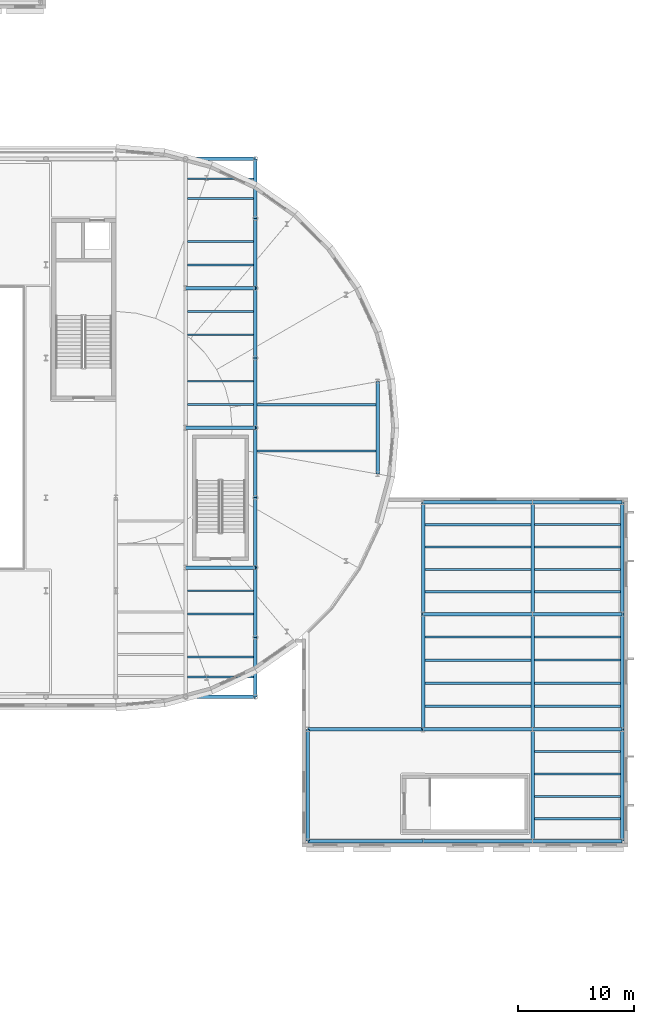
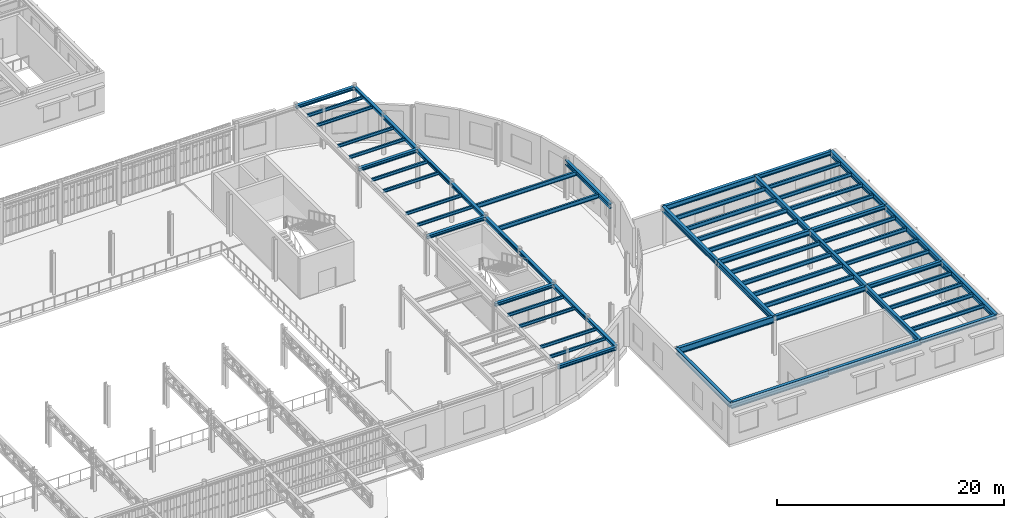
# One storey, part 33 of 91: 67 beams.
"""IFC4 building model written with IfcOpenShell, lengths in metres."""

import ifcopenshell
import ifcopenshell.guid

model = None  # the IFC model being written
_history = None  # IfcOwnerHistory: only IFC2X3 demands one
_inside = {}  # id of a spatial element -> (the spatial element, [elements in it])
_under = {}  # id of a project, library or spatial element -> (it, [spatial elements below it])
_declared = {}  # id of a project -> (the project, [libraries it declares])
_typed = {}  # id of a type object -> (the type object, [elements of that type])
_made_of = {}  # id of a material, layer set ... -> (it, [elements and type objects made of it])


def new_model(schema):
    """Start an empty IFC model of exactly this schema.

    Asked for "IFC4X3", IfcOpenShell would pick the latest addendum, in which some entities
    have other attributes; the version numbers below select the first issue.
    IFC2X3 requires an IfcOwnerHistory on every rooted entity: one is made here for all.
    """
    global model, _history
    if schema == "IFC4X3":
        model = ifcopenshell.file(schema_version=(4, 3, 0, 0))
    else:
        model = ifcopenshell.file(schema=schema)
    _inside.clear()
    _under.clear()
    _declared.clear()
    _typed.clear()
    _made_of.clear()
    _history = None
    if model.schema == "IFC2X3":
        org = make("IfcOrganization", Name="unknown")
        user = make(
            "IfcPersonAndOrganization",
            ThePerson=make("IfcPerson", FamilyName="unknown"),
            TheOrganization=org,
        )
        app = make(
            "IfcApplication",
            ApplicationDeveloper=org,
            Version="unknown",
            ApplicationFullName="unknown",
            ApplicationIdentifier="unknown",
        )
        _history = make(
            "IfcOwnerHistory",
            OwningUser=user,
            OwningApplication=app,
            ChangeAction="ADDED",
            CreationDate=0,
        )
    return model


def make(cls, **values):
    """One entity of the class cls with the attributes given. An attribute that is None is left unset."""
    return model.create_entity(
        cls, **{name: value for name, value in values.items() if value is not None}
    )


def rooted(cls, **values):
    """An entity with a GlobalId (a new one), such as an element, a storey or a relation."""
    return make(cls, GlobalId=ifcopenshell.guid.new(), OwnerHistory=_history, **values)


def si_unit(unit_type, name, prefix=None):
    """IfcSIUnit, for example si_unit("LENGTHUNIT", "METRE", prefix="MILLI")."""
    return make("IfcSIUnit", UnitType=unit_type, Prefix=prefix, Name=name)


def assignment(units):
    """IfcUnitAssignment: the units of a project."""
    return None if units is None else make("IfcUnitAssignment", Units=units)


def point(xyz):
    """IfcCartesianPoint."""
    return None if xyz is None else make("IfcCartesianPoint", Coordinates=xyz)


def direction(xyz):
    """IfcDirection."""
    return None if xyz is None else make("IfcDirection", DirectionRatios=xyz)


def frame(location, z_axis=None, x_axis=None):
    """IfcAxis2Placement3D, a coordinate frame: its origin and axes. An axis left out is left unset."""
    return make(
        "IfcAxis2Placement3D",
        Location=point(location),
        Axis=direction(z_axis),
        RefDirection=direction(x_axis),
    )


def frame_2d(location, x_axis=None):
    """IfcAxis2Placement2D, a coordinate frame in the plane: its origin and x axis."""
    return make(
        "IfcAxis2Placement2D", Location=point(location), RefDirection=direction(x_axis)
    )


def origin():
    """The frame at (0, 0, 0) with its axes left unset."""
    return frame((0.0, 0.0, 0.0))


def origin_2d():
    """The frame at (0, 0) in the plane with its x axis left unset."""
    return frame_2d((0.0, 0.0))


def place(relative_to, where):
    """IfcLocalPlacement: puts the frame where relative to a parent placement (None: the world)."""
    return make(
        "IfcLocalPlacement", PlacementRelTo=relative_to, RelativePlacement=where
    )


def context(
    kind, dimensions, precision=None, world=None, true_north=None, identifier=None
):
    """IfcGeometricRepresentationContext, for example the 3D "Model" context."""
    return make(
        "IfcGeometricRepresentationContext",
        ContextIdentifier=identifier,
        ContextType=kind,
        CoordinateSpaceDimension=dimensions,
        Precision=precision,
        WorldCoordinateSystem=world,
        TrueNorth=true_north,
    )


def subcontext(parent, identifier, kind, view, scale=None):
    """IfcGeometricRepresentationSubContext, for example "Body" below "Model"."""
    return make(
        "IfcGeometricRepresentationSubContext",
        ContextIdentifier=identifier,
        ContextType=kind,
        ParentContext=parent,
        TargetScale=scale,
        TargetView=view,
    )


def project(units=None, contexts=None):
    """IfcProject with its units and contexts."""
    return rooted(
        "IfcProject",
        Name="project",
        RepresentationContexts=contexts,
        UnitsInContext=assignment(units),
    )


def spatial(cls, under=None, at=None, **own):
    """A site, building, storey or space (cls), placed at a placement, below another one or the project."""
    s = rooted(cls, ObjectPlacement=at, **own)
    if under is not None:
        _under.setdefault(under.id(), (under, []))[1].append(s)
    return s


def profile(cls, at=None, kind="AREA", **sizes):
    """A parametric profile (cls). Its sizes go by their IFC names, for example OverallWidth=200.0."""
    return make(cls, ProfileType=kind, Position=at, **sizes)


def i_section(**sizes):
    """IfcIShapeProfileDef."""
    return profile("IfcIShapeProfileDef", **sizes)


def extrude(swept, where, along, depth):
    """IfcExtrudedAreaSolid: the profile swept, set in the frame where, extruded along a direction by depth."""
    return make(
        "IfcExtrudedAreaSolid",
        SweptArea=swept,
        Position=where,
        ExtrudedDirection=direction(along),
        Depth=depth,
    )


def shape(context_of_items, identifier, shape_type, items):
    """IfcShapeRepresentation: the items that make up one representation, for example the "Body"."""
    return make(
        "IfcShapeRepresentation",
        ContextOfItems=context_of_items,
        RepresentationIdentifier=identifier,
        RepresentationType=shape_type,
        Items=items,
    )


def material(Name=None, Category=None):
    """IfcMaterial."""
    return make("IfcMaterial", Name=Name, Category=Category)


def material_profile(
    of_material, cross_section, Name=None, Category=None, Priority=None
):
    """IfcMaterialProfile: a cross section and its material."""
    return make(
        "IfcMaterialProfile",
        Name=Name,
        Material=of_material,
        Profile=cross_section,
        Priority=Priority,
        Category=Category,
    )


def profile_set(profiles, Name=None, composite=None):
    """IfcMaterialProfileSet."""
    return make(
        "IfcMaterialProfileSet",
        Name=Name,
        MaterialProfiles=profiles,
        CompositeProfile=composite,
    )


def made_of(thing, what):
    """Note that an element or type object is made of a material, layer set ...; save() writes the relation."""
    if what is not None:
        _made_of.setdefault(what.id(), (what, []))[1].append(thing)
    return thing


def type_object(cls, material=None, **own):
    """A type object (cls), such as IfcWallType, which elements share."""
    return made_of(rooted(cls, **own), material)


def element(
    cls,
    number,
    at=None,
    inside=None,
    cuts=None,
    type_object=None,
    material=None,
    context=None,
    identifier="Body",
    shape_type=None,
    held_by="IfcProductDefinitionShape",
    body=None,
    shapes=None,
    **own,
):
    """One element of the class cls, such as IfcWall. Its Tag is "e" and its number.

    at: its placement. inside: the storey or other place that contains it. cuts: it is an
    opening in that element (IfcRelVoidsElement). A single representation is given by context,
    identifier, shape_type and body (its items); several are given by shapes. held_by: the class
    of the entity that holds the representations. save() writes the other relations.
    """
    e = rooted(cls, Tag="e%d" % number, ObjectPlacement=at, **own)
    if body is not None:
        shapes = [shape(context, identifier, shape_type, body)]
    if shapes is not None:
        e.Representation = make(held_by, Representations=shapes)
    if inside is not None:
        _inside.setdefault(inside.id(), (inside, []))[1].append(e)
    if cuts is not None:
        rooted(
            "IfcRelVoidsElement", RelatingBuildingElement=cuts, RelatedOpeningElement=e
        )
    if type_object is not None:
        _typed.setdefault(type_object.id(), (type_object, []))[1].append(e)
    return made_of(e, material)


def aggregate(whole, parts):
    """IfcRelAggregates: a whole, such as a stair, and the parts it consists of."""
    return rooted("IfcRelAggregates", RelatingObject=whole, RelatedObjects=parts)


def save(model, path):
    """Write the relations noted so far, then the file.

    IfcRelAggregates (storeys below a building ...), IfcRelContainedInSpatialStructure (elements
    in a storey), IfcRelDefinesByType, IfcRelAssociatesMaterial and IfcRelDeclares: one each for
    every whole, place, type object, material and project.
    """
    for whole, parts in _under.values():
        aggregate(whole, parts)
    for where, things in _inside.values():
        rooted(
            "IfcRelContainedInSpatialStructure",
            RelatedElements=things,
            RelatingStructure=where,
        )
    for kind, things in _typed.values():
        rooted("IfcRelDefinesByType", RelatedObjects=things, RelatingType=kind)
    for what, things in _made_of.values():
        rooted("IfcRelAssociatesMaterial", RelatedObjects=things, RelatingMaterial=what)
    for by, libraries in _declared.values():
        rooted("IfcRelDeclares", RelatingContext=by, RelatedDefinitions=libraries)
    model.write(path)


model = new_model("IFC4")

# Units and contexts
model_context = context("Model", 3, precision=1e-05, world=origin(), true_north=direction((0.0, 1.0)))
body_context = subcontext(model_context, "Body", "Model", "MODEL_VIEW")
ifc_project = project(units=[si_unit("LENGTHUNIT", "METRE"), si_unit("AREAUNIT", "SQUARE_METRE"), si_unit("VOLUMEUNIT", "CUBIC_METRE"), si_unit("PLANEANGLEUNIT", "RADIAN"), si_unit("MASSUNIT", "GRAM", prefix="KILO")], contexts=[model_context])

# Site, building, storey
site_placement = place(None, origin())
site = spatial("IfcSite", under=ifc_project, at=site_placement, CompositionType="ELEMENT")
building_placement = place(site_placement, origin())
building = spatial("IfcBuilding", under=site, at=building_placement, Name="Kolvaren Corner Interchange", CompositionType="ELEMENT")
storey_placement = place(building_placement, frame((0.0, 0.0, 6.0)))
storey = spatial("IfcBuildingStorey", under=building, at=storey_placement, Name="L02", CompositionType="ELEMENT", Elevation=6.0)

# Beams
ifc_material_1 = material(Name="Steel S355", Category="steel")
ifc_material_profile_1 = material_profile(ifc_material_1, i_section(OverallWidth=0.300048828125, OverallDepth=0.31005859375, WebThickness=0.009033203125, FlangeThickness=0.015380859375, FilletRadius=0.027099609375, at=origin_2d()), Name="HEA 320")
ifc_profile_set_1 = profile_set([ifc_material_profile_1], Name="Steel S355")
beam_type_1 = type_object("IfcBeamType", Name="BM-HEA320", PredefinedType="BEAM", material=ifc_profile_set_1)
for number, where, z_axis, x_axis, name in (
    (1, (132.0, 24.89990234375, 4.094970703125), (0.0, 1.0, 0.0), (-1.0, 0.0, 0.0), "Storey L02 Grid Y Primary Girder 0661"),
    (2, (132.0, 66.0, 4.094970703125), (0.0, 1.0, 0.0), (-1.0, 0.0, 0.0), "Storey L02 Grid Y Primary Girder 0668"),
):
    element("IfcBeam", number, at=place(storey_placement, frame(where, z_axis=z_axis, x_axis=x_axis)), inside=storey, type_object=beam_type_1, Name=name, PredefinedType="BEAM", context=body_context, shape_type="SweptSolid", body=[
        extrude(i_section(OverallWidth=0.300048828125, OverallDepth=0.31005859375, WebThickness=0.009033203125, FlangeThickness=0.015380859375, FilletRadius=0.027099609375, at=origin_2d()), origin(), (0.0, 0.0, 1.0), 5.10009765625),
    ])
ifc_material_2 = material(Name="Steel S355", Category="steel")
ifc_material_profile_2 = material_profile(ifc_material_2, i_section(OverallWidth=0.300048828125, OverallDepth=0.35009765625, WebThickness=0.010009765625, FlangeThickness=0.017578125, FilletRadius=0.027099609375, at=origin_2d()), Name="HEA 360")
ifc_profile_set_2 = profile_set([ifc_material_profile_2], Name="Steel S355")
beam_type_2 = type_object("IfcBeamType", Name="BM-HEA360", PredefinedType="BEAM", material=ifc_profile_set_2)
for number, where, z_axis, x_axis, name in (
    (3, (126.0, 24.89990234375, 4.074951171875), (1.0, 0.0, 0.0), (0.0, 1.0, 0.0), "Storey L02 Grid X Primary Girder 0552"),
    (4, (126.0, 36.0, 4.074951171875), (1.0, 0.0, 0.0), (0.0, 1.0, 0.0), "Storey L02 Grid X Primary Girder 0566"),
    (5, (126.0, 48.0, 4.074951171875), (1.0, 0.0, 0.0), (0.0, 1.0, 0.0), "Storey L02 Grid X Primary Girder 0579"),
    (6, (126.0, 60.0, 4.074951171875), (1.0, 0.0, 0.0), (0.0, 1.0, 0.0), "Storey L02 Grid X Primary Girder 0584"),
    (7, (126.0, 71.10009765625, 4.074951171875), (1.0, 0.0, 0.0), (0.0, 1.0, 0.0), "Storey L02 Grid X Primary Girder 0602"),
):
    element("IfcBeam", number, at=place(storey_placement, frame(where, z_axis=z_axis, x_axis=x_axis)), inside=storey, type_object=beam_type_2, Name=name, PredefinedType="BEAM", context=body_context, shape_type="SweptSolid", body=[
        extrude(i_section(OverallWidth=0.300048828125, OverallDepth=0.35009765625, WebThickness=0.010009765625, FlangeThickness=0.017578125, FilletRadius=0.027099609375, at=origin_2d()), origin(), (0.0, 0.0, 1.0), 6.0),
    ])
ifc_material_3 = material(Name="Steel S355", Category="steel")
ifc_material_profile_3 = material_profile(ifc_material_3, i_section(OverallWidth=0.300048828125, OverallDepth=0.389892578125, WebThickness=0.010986328125, FlangeThickness=0.01904296875, FilletRadius=0.027099609375, at=origin_2d()), Name="HEA 400")
ifc_profile_set_3 = profile_set([ifc_material_profile_3], Name="Steel S355")
beam_type_3 = type_object("IfcBeamType", Name="BM-HEA400", PredefinedType="BEAM", material=ifc_profile_set_3)
for number, where, z_axis, x_axis, name in (
    (8, (132.0, 30.0, 4.054931640625), (0.0, 1.0, 0.0), (-1.0, 0.0, 0.0), "Storey L02 Grid Y Primary Girder 0662"),
    (9, (132.0, 36.0, 4.054931640625), (0.0, 1.0, 0.0), (-1.0, 0.0, 0.0), "Storey L02 Grid Y Primary Girder 0663"),
    (10, (132.0, 42.0, 4.054931640625), (0.0, 1.0, 0.0), (-1.0, 0.0, 0.0), "Storey L02 Grid Y Primary Girder 0664"),
    (11, (132.0, 48.0, 4.054931640625), (0.0, 1.0, 0.0), (-1.0, 0.0, 0.0), "Storey L02 Grid Y Primary Girder 0665"),
    (12, (132.0, 54.0, 4.054931640625), (0.0, 1.0, 0.0), (-1.0, 0.0, 0.0), "Storey L02 Grid Y Primary Girder 0666"),
    (13, (132.0, 60.0, 4.054931640625), (0.0, 1.0, 0.0), (-1.0, 0.0, 0.0), "Storey L02 Grid Y Primary Girder 0667"),
):
    element("IfcBeam", number, at=place(storey_placement, frame(where, z_axis=z_axis, x_axis=x_axis)), inside=storey, type_object=beam_type_3, Name=name, PredefinedType="BEAM", context=body_context, shape_type="SweptSolid", body=[
        extrude(i_section(OverallWidth=0.300048828125, OverallDepth=0.389892578125, WebThickness=0.010986328125, FlangeThickness=0.01904296875, FilletRadius=0.027099609375, at=origin_2d()), origin(), (0.0, 0.0, 1.0), 6.0),
    ])
ifc_material_4 = material(Name="Steel S355", Category="steel")
ifc_material_profile_4 = material_profile(ifc_material_4, i_section(OverallWidth=0.300048828125, OverallDepth=0.43994140625, WebThickness=0.011474609375, FlangeThickness=0.02099609375, FilletRadius=0.027099609375, at=origin_2d()), Name="HEA 450")
ifc_profile_set_4 = profile_set([ifc_material_profile_4], Name="Steel S355")
beam_type_4 = type_object("IfcBeamType", Name="BM-HEA450", PredefinedType="BEAM", material=ifc_profile_set_4)
for number, where, z_axis, x_axis, name in (
    (14, (155.800048828125, 12.5, 3.9599609375), (1.0, 0.0, 0.0), (0.0, 1.0, 0.0), "Storey L02 Grid X Primary Girder 0678"),
    (15, (155.800048828125, 22.10009765625, 3.9599609375), (1.0, 0.0, 0.0), (0.0, 1.0, 0.0), "Storey L02 Grid X Primary Girder 0683"),
    (16, (155.800048828125, 32.0, 3.9599609375), (1.0, 0.0, 0.0), (0.0, 1.0, 0.0), "Storey L02 Grid X Primary Girder 0688"),
    (17, (155.800048828125, 41.60009765625, 3.9599609375), (1.0, 0.0, 0.0), (0.0, 1.0, 0.0), "Storey L02 Grid X Primary Girder 0691"),
):
    element("IfcBeam", number, at=place(storey_placement, frame(where, z_axis=z_axis, x_axis=x_axis)), inside=storey, type_object=beam_type_4, Name=name, PredefinedType="BEAM", context=body_context, shape_type="SweptSolid", body=[
        extrude(i_section(OverallWidth=0.300048828125, OverallDepth=0.43994140625, WebThickness=0.011474609375, FlangeThickness=0.02099609375, FilletRadius=0.027099609375, at=origin_2d()), origin(), (0.0, 0.0, 1.0), 7.699951171875),
    ])
ifc_material_5 = material(Name="Steel S355", Category="steel")
ifc_material_profile_5 = material_profile(ifc_material_5, i_section(OverallWidth=0.300048828125, OverallDepth=0.489990234375, WebThickness=0.011962890625, FlangeThickness=0.02294921875, FilletRadius=0.027099609375, at=origin_2d()), Name="HEA 500")
ifc_profile_set_5 = profile_set([ifc_material_profile_5], Name="Steel S355")
beam_type_5 = type_object("IfcBeamType", Name="BM-HEA500", PredefinedType="BEAM", material=ifc_profile_set_5)
beam_1_placement = place(storey_placement, frame((142.5029296875, 44.031982421875, 4.0048828125), z_axis=(0.0, 1.0, 0.0), x_axis=(-1.0, 0.0, 0.0)))
element("IfcBeam", 18, at=beam_1_placement, inside=storey, type_object=beam_type_5, Name="Storey L02 Grid Y Primary Girder 0669", PredefinedType="BEAM", context=body_context, shape_type="SweptSolid", body=[
    extrude(i_section(OverallWidth=0.300048828125, OverallDepth=0.489990234375, WebThickness=0.011962890625, FlangeThickness=0.02294921875, FilletRadius=0.027099609375, at=origin_2d()), origin(), (0.0, 0.0, 1.0), 7.93603515625),
])
ifc_material_6 = material(Name="Steel S355", Category="steel")
ifc_material_profile_6 = material_profile(ifc_material_6, i_section(OverallWidth=0.300048828125, OverallDepth=0.5400390625, WebThickness=0.012451171875, FlangeThickness=0.02392578125, FilletRadius=0.027099609375, at=origin_2d()), Name="HEA 550")
ifc_profile_set_6 = profile_set([ifc_material_profile_6], Name="Steel S355")
beam_type_6 = type_object("IfcBeamType", Name="BM-HEA550", PredefinedType="BEAM", material=ifc_profile_set_6)
for number, where, z_axis, x_axis, name in (
    (19, (146.39990234375, 12.5, 3.909912109375), (1.0, 0.0, 0.0), (0.0, 1.0, 0.0), "Storey L02 Grid X Primary Girder 0677"),
    (20, (146.39990234375, 22.10009765625, 3.909912109375), (1.0, 0.0, 0.0), (0.0, 1.0, 0.0), "Storey L02 Grid X Primary Girder 0682"),
    (21, (146.39990234375, 32.0, 3.909912109375), (1.0, 0.0, 0.0), (0.0, 1.0, 0.0), "Storey L02 Grid X Primary Girder 0687"),
    (22, (146.39990234375, 41.60009765625, 3.909912109375), (1.0, 0.0, 0.0), (0.0, 1.0, 0.0), "Storey L02 Grid X Primary Girder 0690"),
):
    element("IfcBeam", number, at=place(storey_placement, frame(where, z_axis=z_axis, x_axis=x_axis)), inside=storey, type_object=beam_type_6, Name=name, PredefinedType="BEAM", context=body_context, shape_type="SweptSolid", body=[
        extrude(i_section(OverallWidth=0.300048828125, OverallDepth=0.5400390625, WebThickness=0.012451171875, FlangeThickness=0.02392578125, FilletRadius=0.027099609375, at=origin_2d()), origin(), (0.0, 0.0, 1.0), 9.400146484375),
    ])
ifc_material_7 = material(Name="Steel S355", Category="steel")
ifc_material_profile_7 = material_profile(ifc_material_7, i_section(OverallWidth=0.300048828125, OverallDepth=0.590087890625, WebThickness=0.012939453125, FlangeThickness=0.02490234375, FilletRadius=0.027099609375, at=origin_2d()), Name="HEA 600")
ifc_profile_set_7 = profile_set([ifc_material_profile_7], Name="Steel S355")
beam_type_7 = type_object("IfcBeamType", Name="BM-HEA600", PredefinedType="BEAM", material=ifc_profile_set_7)
beam_2_placement = place(storey_placement, frame((136.5, 12.5, 3.885009765625), z_axis=(0.0, 1.0, 0.0), x_axis=(-1.0, 0.0, 0.0)))
element("IfcBeam", 23, at=beam_2_placement, inside=storey, type_object=beam_type_7, Name="Storey L02 Grid Y Primary Girder 0818", PredefinedType="BEAM", context=body_context, shape_type="SweptSolid", body=[
    extrude(i_section(OverallWidth=0.300048828125, OverallDepth=0.590087890625, WebThickness=0.012939453125, FlangeThickness=0.02490234375, FilletRadius=0.027099609375, at=origin_2d()), origin(), (0.0, 0.0, 1.0), 9.60009765625),
])
beam_3_placement = place(storey_placement, frame((146.39990234375, 22.10009765625, 3.885009765625), z_axis=(0.0, 1.0, 0.0), x_axis=(-1.0, 0.0, 0.0)))
element("IfcBeam", 24, at=beam_3_placement, inside=storey, type_object=beam_type_7, Name="Storey L02 Grid Y Primary Girder 0819", PredefinedType="BEAM", context=body_context, shape_type="SweptSolid", body=[
    extrude(i_section(OverallWidth=0.300048828125, OverallDepth=0.590087890625, WebThickness=0.012939453125, FlangeThickness=0.02490234375, FilletRadius=0.027099609375, at=origin_2d()), origin(), (0.0, 0.0, 1.0), 9.89990234375),
])
for number, where, z_axis, x_axis, name in (
    (25, (146.39990234375, 32.0, 3.885009765625), (0.0, 1.0, 0.0), (-1.0, 0.0, 0.0), "Storey L02 Grid Y Primary Girder 0820"),
    (26, (155.800048828125, 12.5, 3.885009765625), (0.0, 1.0, 0.0), (-1.0, 0.0, 0.0), "Storey L02 Grid Y Primary Girder 0821"),
):
    element("IfcBeam", number, at=place(storey_placement, frame(where, z_axis=z_axis, x_axis=x_axis)), inside=storey, type_object=beam_type_7, Name=name, PredefinedType="BEAM", context=body_context, shape_type="SweptSolid", body=[
        extrude(i_section(OverallWidth=0.300048828125, OverallDepth=0.590087890625, WebThickness=0.012939453125, FlangeThickness=0.02490234375, FilletRadius=0.027099609375, at=origin_2d()), origin(), (0.0, 0.0, 1.0), 9.60009765625),
    ])
beam_4_placement = place(storey_placement, frame((155.800048828125, 22.10009765625, 3.885009765625), z_axis=(0.0, 1.0, 0.0), x_axis=(-1.0, 0.0, 0.0)))
element("IfcBeam", 27, at=beam_4_placement, inside=storey, type_object=beam_type_7, Name="Storey L02 Grid Y Primary Girder 0822", PredefinedType="BEAM", context=body_context, shape_type="SweptSolid", body=[
    extrude(i_section(OverallWidth=0.300048828125, OverallDepth=0.590087890625, WebThickness=0.012939453125, FlangeThickness=0.02490234375, FilletRadius=0.027099609375, at=origin_2d()), origin(), (0.0, 0.0, 1.0), 9.89990234375),
])
for number, where, z_axis, x_axis, name in (
    (28, (155.800048828125, 32.0, 3.885009765625), (0.0, 1.0, 0.0), (-1.0, 0.0, 0.0), "Storey L02 Grid Y Primary Girder 0823"),
    (29, (163.5, 12.5, 3.885009765625), (0.0, 1.0, 0.0), (-1.0, 0.0, 0.0), "Storey L02 Grid Y Primary Girder 0824"),
):
    element("IfcBeam", number, at=place(storey_placement, frame(where, z_axis=z_axis, x_axis=x_axis)), inside=storey, type_object=beam_type_7, Name=name, PredefinedType="BEAM", context=body_context, shape_type="SweptSolid", body=[
        extrude(i_section(OverallWidth=0.300048828125, OverallDepth=0.590087890625, WebThickness=0.012939453125, FlangeThickness=0.02490234375, FilletRadius=0.027099609375, at=origin_2d()), origin(), (0.0, 0.0, 1.0), 9.60009765625),
    ])
beam_5_placement = place(storey_placement, frame((163.5, 22.10009765625, 3.885009765625), z_axis=(0.0, 1.0, 0.0), x_axis=(-1.0, 0.0, 0.0)))
element("IfcBeam", 30, at=beam_5_placement, inside=storey, type_object=beam_type_7, Name="Storey L02 Grid Y Primary Girder 0825", PredefinedType="BEAM", context=body_context, shape_type="SweptSolid", body=[
    extrude(i_section(OverallWidth=0.300048828125, OverallDepth=0.590087890625, WebThickness=0.012939453125, FlangeThickness=0.02490234375, FilletRadius=0.027099609375, at=origin_2d()), origin(), (0.0, 0.0, 1.0), 9.89990234375),
])
beam_6_placement = place(storey_placement, frame((163.5, 32.0, 3.885009765625), z_axis=(0.0, 1.0, 0.0), x_axis=(-1.0, 0.0, 0.0)))
element("IfcBeam", 31, at=beam_6_placement, inside=storey, type_object=beam_type_7, Name="Storey L02 Grid Y Primary Girder 0826", PredefinedType="BEAM", context=body_context, shape_type="SweptSolid", body=[
    extrude(i_section(OverallWidth=0.300048828125, OverallDepth=0.590087890625, WebThickness=0.012939453125, FlangeThickness=0.02490234375, FilletRadius=0.027099609375, at=origin_2d()), origin(), (0.0, 0.0, 1.0), 9.60009765625),
])
ifc_material_8 = material(Name="Steel S355", Category="steel")
ifc_material_profile_8 = material_profile(ifc_material_8, i_section(OverallWidth=0.300048828125, OverallDepth=0.68994140625, WebThickness=0.014404296875, FlangeThickness=0.027099609375, FilletRadius=0.027099609375, at=origin_2d()), Name="HEA 700")
ifc_profile_set_8 = profile_set([ifc_material_profile_8], Name="Steel S355")
beam_type_8 = type_object("IfcBeamType", Name="BM-HEA700", PredefinedType="BEAM", material=ifc_profile_set_8)
for number, where, z_axis, x_axis, name in (
    (32, (136.5, 12.5, 3.8349609375), (1.0, 0.0, 0.0), (0.0, 1.0, 0.0), "Storey L02 Grid X Primary Girder 0676"),
    (33, (136.5, 22.10009765625, 3.8349609375), (1.0, 0.0, 0.0), (0.0, 1.0, 0.0), "Storey L02 Grid X Primary Girder 0681"),
):
    element("IfcBeam", number, at=place(storey_placement, frame(where, z_axis=z_axis, x_axis=x_axis)), inside=storey, type_object=beam_type_8, Name=name, PredefinedType="BEAM", context=body_context, shape_type="SweptSolid", body=[
        extrude(i_section(OverallWidth=0.300048828125, OverallDepth=0.68994140625, WebThickness=0.014404296875, FlangeThickness=0.027099609375, FilletRadius=0.027099609375, at=origin_2d()), origin(), (0.0, 0.0, 1.0), 9.89990234375),
    ])
ifc_material_9 = material(Name="Steel S355", Category="steel")
ifc_material_profile_9 = material_profile(ifc_material_9, i_section(OverallWidth=0.159912109375, OverallDepth=0.330078125, WebThickness=0.007568359375, FlangeThickness=0.011474609375, FilletRadius=0.01806640625, at=origin_2d()), Name="IPE 330")
ifc_profile_set_9 = profile_set([ifc_material_profile_9], Name="Steel S355")
beam_type_9 = type_object("IfcBeamType", Name="JS-IPE330", PredefinedType="JOIST", material=ifc_profile_set_9)
for number, where, z_axis, x_axis, name in (
    (34, (126.14990234375, 26.60009765625, 4.0849609375), (1.0, 0.0, 0.0), (0.0, 1.0, 0.0), "Storey L02 Composite Floor Joist 0625"),
    (35, (126.14990234375, 28.300048828125, 4.0849609375), (1.0, 0.0, 0.0), (0.0, 1.0, 0.0), "Storey L02 Composite Floor Joist 0626"),
    (36, (126.14990234375, 32.0, 4.0849609375), (1.0, 0.0, 0.0), (0.0, 1.0, 0.0), "Storey L02 Composite Floor Joist 0627"),
    (37, (126.14990234375, 34.0, 4.0849609375), (1.0, 0.0, 0.0), (0.0, 1.0, 0.0), "Storey L02 Composite Floor Joist 0628"),
    (38, (126.14990234375, 50.0, 4.0849609375), (1.0, 0.0, 0.0), (0.0, 1.0, 0.0), "Storey L02 Composite Floor Joist 0629"),
    (39, (126.14990234375, 52.0, 4.0849609375), (1.0, 0.0, 0.0), (0.0, 1.0, 0.0), "Storey L02 Composite Floor Joist 0630"),
    (40, (126.14990234375, 56.0, 4.0849609375), (1.0, 0.0, 0.0), (0.0, 1.0, 0.0), "Storey L02 Composite Floor Joist 0631"),
    (41, (126.14990234375, 58.0, 4.0849609375), (1.0, 0.0, 0.0), (0.0, 1.0, 0.0), "Storey L02 Composite Floor Joist 0632"),
    (42, (126.14990234375, 62.0, 4.0849609375), (1.0, 0.0, 0.0), (0.0, 1.0, 0.0), "Storey L02 Composite Floor Joist 0633"),
    (43, (126.14990234375, 64.0, 4.0849609375), (1.0, 0.0, 0.0), (0.0, 1.0, 0.0), "Storey L02 Composite Floor Joist 0634"),
    (44, (126.14990234375, 67.699951171875, 4.0849609375), (1.0, 0.0, 0.0), (0.0, 1.0, 0.0), "Storey L02 Composite Floor Joist 0635"),
    (45, (126.14990234375, 69.39990234375, 4.0849609375), (1.0, 0.0, 0.0), (0.0, 1.0, 0.0), "Storey L02 Composite Floor Joist 0636"),
):
    element("IfcBeam", number, at=place(storey_placement, frame(where, z_axis=z_axis, x_axis=x_axis)), inside=storey, type_object=beam_type_9, Name=name, PredefinedType="JOIST", context=body_context, shape_type="SweptSolid", body=[
        extrude(i_section(OverallWidth=0.159912109375, OverallDepth=0.330078125, WebThickness=0.007568359375, FlangeThickness=0.011474609375, FilletRadius=0.01806640625, at=origin_2d()), origin(), (0.0, 0.0, 1.0), 5.7001953125),
    ])
ifc_material_10 = material(Name="Steel S355", Category="steel")
ifc_material_profile_10 = material_profile(ifc_material_10, i_section(OverallWidth=0.179931640625, OverallDepth=0.39990234375, WebThickness=0.008544921875, FlangeThickness=0.013427734375, FilletRadius=0.02099609375, at=origin_2d()), Name="IPE 400")
ifc_profile_set_10 = profile_set([ifc_material_profile_10], Name="Steel S355")
beam_type_10 = type_object("IfcBeamType", Name="JS-IPE400", PredefinedType="JOIST", material=ifc_profile_set_10)
for number, where, z_axis, x_axis, name in (
    (46, (155.949951171875, 14.419921875, 3.97998046875), (1.0, 0.0, 0.0), (0.0, 1.0, 0.0), "Storey L02 Composite Floor Joist 0767"),
    (47, (155.949951171875, 16.340087890625, 3.97998046875), (1.0, 0.0, 0.0), (0.0, 1.0, 0.0), "Storey L02 Composite Floor Joist 0768"),
    (48, (155.949951171875, 18.260009765625, 3.97998046875), (1.0, 0.0, 0.0), (0.0, 1.0, 0.0), "Storey L02 Composite Floor Joist 0769"),
    (49, (155.949951171875, 20.179931640625, 3.97998046875), (1.0, 0.0, 0.0), (0.0, 1.0, 0.0), "Storey L02 Composite Floor Joist 0770"),
    (50, (155.949951171875, 24.080078125, 3.97998046875), (1.0, 0.0, 0.0), (0.0, 1.0, 0.0), "Storey L02 Composite Floor Joist 0771"),
    (51, (155.949951171875, 26.06005859375, 3.97998046875), (1.0, 0.0, 0.0), (0.0, 1.0, 0.0), "Storey L02 Composite Floor Joist 0772"),
    (52, (155.949951171875, 28.0400390625, 3.97998046875), (1.0, 0.0, 0.0), (0.0, 1.0, 0.0), "Storey L02 Composite Floor Joist 0773"),
    (53, (155.949951171875, 30.02001953125, 3.97998046875), (1.0, 0.0, 0.0), (0.0, 1.0, 0.0), "Storey L02 Composite Floor Joist 0774"),
    (54, (155.949951171875, 33.919921875, 3.97998046875), (1.0, 0.0, 0.0), (0.0, 1.0, 0.0), "Storey L02 Composite Floor Joist 0775"),
    (55, (155.949951171875, 35.840087890625, 3.97998046875), (1.0, 0.0, 0.0), (0.0, 1.0, 0.0), "Storey L02 Composite Floor Joist 0776"),
    (56, (155.949951171875, 37.760009765625, 3.97998046875), (1.0, 0.0, 0.0), (0.0, 1.0, 0.0), "Storey L02 Composite Floor Joist 0777"),
    (57, (155.949951171875, 39.679931640625, 3.97998046875), (1.0, 0.0, 0.0), (0.0, 1.0, 0.0), "Storey L02 Composite Floor Joist 0778"),
):
    element("IfcBeam", number, at=place(storey_placement, frame(where, z_axis=z_axis, x_axis=x_axis)), inside=storey, type_object=beam_type_10, Name=name, PredefinedType="JOIST", context=body_context, shape_type="SweptSolid", body=[
        extrude(i_section(OverallWidth=0.179931640625, OverallDepth=0.39990234375, WebThickness=0.008544921875, FlangeThickness=0.013427734375, FilletRadius=0.02099609375, at=origin_2d()), origin(), (0.0, 0.0, 1.0), 7.400146484375),
    ])
ifc_material_11 = material(Name="Steel S355", Category="steel")
ifc_material_profile_11 = material_profile(ifc_material_11, i_section(OverallWidth=0.18994140625, OverallDepth=0.449951171875, WebThickness=0.009521484375, FlangeThickness=0.0146484375, FilletRadius=0.02099609375, at=origin_2d()), Name="IPE 450")
ifc_profile_set_11 = profile_set([ifc_material_profile_11], Name="Steel S355")
beam_type_11 = type_object("IfcBeamType", Name="JS-IPE450", PredefinedType="JOIST", material=ifc_profile_set_11)
for number, where, z_axis, x_axis, name in (
    (58, (132.14990234375, 46.01611328125, 4.02490234375), (1.0, 0.0, 0.0), (0.0, 1.0, 0.0), "Storey L02 Composite Floor Joist 0637"),
    (59, (132.14990234375, 49.98388671875, 4.02490234375), (1.0, 0.0, 0.0), (0.0, 1.0, 0.0), "Storey L02 Composite Floor Joist 0638"),
):
    element("IfcBeam", number, at=place(storey_placement, frame(where, z_axis=z_axis, x_axis=x_axis)), inside=storey, type_object=beam_type_11, Name=name, PredefinedType="JOIST", context=body_context, shape_type="SweptSolid", body=[
        extrude(i_section(OverallWidth=0.18994140625, OverallDepth=0.449951171875, WebThickness=0.009521484375, FlangeThickness=0.0146484375, FilletRadius=0.02099609375, at=origin_2d()), origin(), (0.0, 0.0, 1.0), 10.203125),
    ])
for number, where, z_axis, x_axis, name in (
    (60, (146.550048828125, 24.080078125, 3.955078125), (1.0, 0.0, 0.0), (0.0, 1.0, 0.0), "Storey L02 Composite Floor Joist 0759"),
    (61, (146.550048828125, 26.06005859375, 3.955078125), (1.0, 0.0, 0.0), (0.0, 1.0, 0.0), "Storey L02 Composite Floor Joist 0760"),
    (62, (146.550048828125, 28.0400390625, 3.955078125), (1.0, 0.0, 0.0), (0.0, 1.0, 0.0), "Storey L02 Composite Floor Joist 0761"),
    (63, (146.550048828125, 30.02001953125, 3.955078125), (1.0, 0.0, 0.0), (0.0, 1.0, 0.0), "Storey L02 Composite Floor Joist 0762"),
    (64, (146.550048828125, 33.919921875, 3.955078125), (1.0, 0.0, 0.0), (0.0, 1.0, 0.0), "Storey L02 Composite Floor Joist 0763"),
    (65, (146.550048828125, 35.840087890625, 3.955078125), (1.0, 0.0, 0.0), (0.0, 1.0, 0.0), "Storey L02 Composite Floor Joist 0764"),
    (66, (146.550048828125, 37.760009765625, 3.955078125), (1.0, 0.0, 0.0), (0.0, 1.0, 0.0), "Storey L02 Composite Floor Joist 0765"),
    (67, (146.550048828125, 39.679931640625, 3.955078125), (1.0, 0.0, 0.0), (0.0, 1.0, 0.0), "Storey L02 Composite Floor Joist 0766"),
):
    element("IfcBeam", number, at=place(storey_placement, frame(where, z_axis=z_axis, x_axis=x_axis)), inside=storey, type_object=beam_type_11, Name=name, PredefinedType="JOIST", context=body_context, shape_type="SweptSolid", body=[
        extrude(i_section(OverallWidth=0.18994140625, OverallDepth=0.449951171875, WebThickness=0.009521484375, FlangeThickness=0.0146484375, FilletRadius=0.02099609375, at=origin_2d()), origin(), (0.0, 0.0, 1.0), 9.099853515625),
    ])

save(model, "model.ifc")
